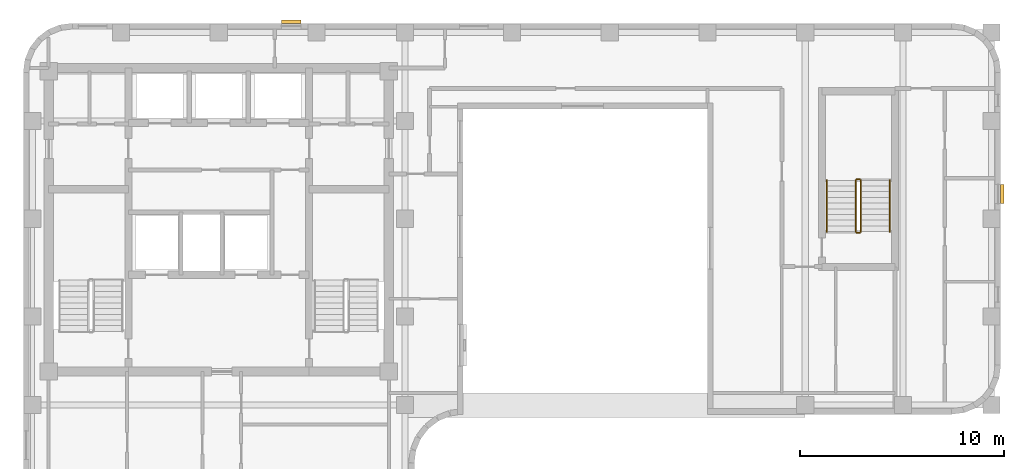
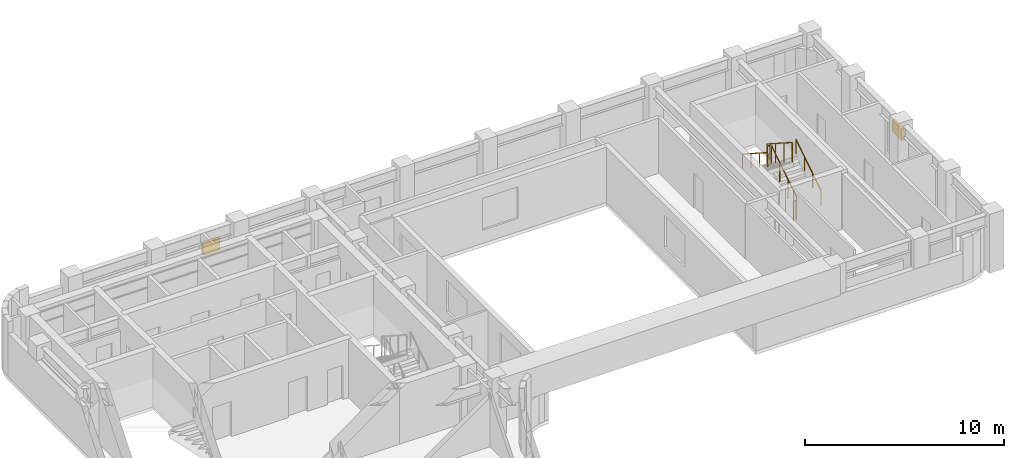
# One storey, part 8 of 8: 6 railings, 2 shading devices.
"""IFC4 building model written with IfcOpenShell, lengths in metres."""

import ifcopenshell
import ifcopenshell.guid

model = None  # the IFC model being written
_history = None  # IfcOwnerHistory: only IFC2X3 demands one
_inside = {}  # id of a spatial element -> (the spatial element, [elements in it])
_under = {}  # id of a project, library or spatial element -> (it, [spatial elements below it])
_declared = {}  # id of a project -> (the project, [libraries it declares])
_typed = {}  # id of a type object -> (the type object, [elements of that type])
_made_of = {}  # id of a material, layer set ... -> (it, [elements and type objects made of it])


def new_model(schema):
    """Start an empty IFC model of exactly this schema.

    Asked for "IFC4X3", IfcOpenShell would pick the latest addendum, in which some entities
    have other attributes; the version numbers below select the first issue.
    IFC2X3 requires an IfcOwnerHistory on every rooted entity: one is made here for all.
    """
    global model, _history
    if schema == "IFC4X3":
        model = ifcopenshell.file(schema_version=(4, 3, 0, 0))
    else:
        model = ifcopenshell.file(schema=schema)
    _inside.clear()
    _under.clear()
    _declared.clear()
    _typed.clear()
    _made_of.clear()
    _history = None
    if model.schema == "IFC2X3":
        org = make("IfcOrganization", Name="unknown")
        user = make(
            "IfcPersonAndOrganization",
            ThePerson=make("IfcPerson", FamilyName="unknown"),
            TheOrganization=org,
        )
        app = make(
            "IfcApplication",
            ApplicationDeveloper=org,
            Version="unknown",
            ApplicationFullName="unknown",
            ApplicationIdentifier="unknown",
        )
        _history = make(
            "IfcOwnerHistory",
            OwningUser=user,
            OwningApplication=app,
            ChangeAction="ADDED",
            CreationDate=0,
        )
    return model


def make(cls, **values):
    """One entity of the class cls with the attributes given. An attribute that is None is left unset."""
    return model.create_entity(
        cls, **{name: value for name, value in values.items() if value is not None}
    )


def rooted(cls, **values):
    """An entity with a GlobalId (a new one), such as an element, a storey or a relation."""
    return make(cls, GlobalId=ifcopenshell.guid.new(), OwnerHistory=_history, **values)


def si_unit(unit_type, name, prefix=None):
    """IfcSIUnit, for example si_unit("LENGTHUNIT", "METRE", prefix="MILLI")."""
    return make("IfcSIUnit", UnitType=unit_type, Prefix=prefix, Name=name)


def assignment(units):
    """IfcUnitAssignment: the units of a project."""
    return None if units is None else make("IfcUnitAssignment", Units=units)


def point(xyz):
    """IfcCartesianPoint."""
    return None if xyz is None else make("IfcCartesianPoint", Coordinates=xyz)


def direction(xyz):
    """IfcDirection."""
    return None if xyz is None else make("IfcDirection", DirectionRatios=xyz)


def frame(location, z_axis=None, x_axis=None):
    """IfcAxis2Placement3D, a coordinate frame: its origin and axes. An axis left out is left unset."""
    return make(
        "IfcAxis2Placement3D",
        Location=point(location),
        Axis=direction(z_axis),
        RefDirection=direction(x_axis),
    )


def frame_2d(location, x_axis=None):
    """IfcAxis2Placement2D, a coordinate frame in the plane: its origin and x axis."""
    return make(
        "IfcAxis2Placement2D", Location=point(location), RefDirection=direction(x_axis)
    )


def origin():
    """The frame at (0, 0, 0) with its axes left unset."""
    return frame((0.0, 0.0, 0.0))


def origin_2d():
    """The frame at (0, 0) in the plane with its x axis left unset."""
    return frame_2d((0.0, 0.0))


def place(relative_to, where):
    """IfcLocalPlacement: puts the frame where relative to a parent placement (None: the world)."""
    return make(
        "IfcLocalPlacement", PlacementRelTo=relative_to, RelativePlacement=where
    )


def context(
    kind, dimensions, precision=None, world=None, true_north=None, identifier=None
):
    """IfcGeometricRepresentationContext, for example the 3D "Model" context."""
    return make(
        "IfcGeometricRepresentationContext",
        ContextIdentifier=identifier,
        ContextType=kind,
        CoordinateSpaceDimension=dimensions,
        Precision=precision,
        WorldCoordinateSystem=world,
        TrueNorth=true_north,
    )


def subcontext(parent, identifier, kind, view, scale=None):
    """IfcGeometricRepresentationSubContext, for example "Body" below "Model"."""
    return make(
        "IfcGeometricRepresentationSubContext",
        ContextIdentifier=identifier,
        ContextType=kind,
        ParentContext=parent,
        TargetScale=scale,
        TargetView=view,
    )


def project(units=None, contexts=None):
    """IfcProject with its units and contexts."""
    return rooted(
        "IfcProject",
        Name="project",
        RepresentationContexts=contexts,
        UnitsInContext=assignment(units),
    )


def spatial(cls, under=None, at=None, **own):
    """A site, building, storey or space (cls), placed at a placement, below another one or the project."""
    s = rooted(cls, ObjectPlacement=at, **own)
    if under is not None:
        _under.setdefault(under.id(), (under, []))[1].append(s)
    return s


def profile(cls, at=None, kind="AREA", **sizes):
    """A parametric profile (cls). Its sizes go by their IFC names, for example OverallWidth=200.0."""
    return make(cls, ProfileType=kind, Position=at, **sizes)


def rectangle(**sizes):
    """IfcRectangleProfileDef."""
    return profile("IfcRectangleProfileDef", **sizes)


def extrude(swept, where, along, depth):
    """IfcExtrudedAreaSolid: the profile swept, set in the frame where, extruded along a direction by depth."""
    return make(
        "IfcExtrudedAreaSolid",
        SweptArea=swept,
        Position=where,
        ExtrudedDirection=direction(along),
        Depth=depth,
    )


def shape(context_of_items, identifier, shape_type, items):
    """IfcShapeRepresentation: the items that make up one representation, for example the "Body"."""
    return make(
        "IfcShapeRepresentation",
        ContextOfItems=context_of_items,
        RepresentationIdentifier=identifier,
        RepresentationType=shape_type,
        Items=items,
    )


def material(Name=None, Category=None):
    """IfcMaterial."""
    return make("IfcMaterial", Name=Name, Category=Category)


def made_of(thing, what):
    """Note that an element or type object is made of a material, layer set ...; save() writes the relation."""
    if what is not None:
        _made_of.setdefault(what.id(), (what, []))[1].append(thing)
    return thing


def type_object(cls, material=None, **own):
    """A type object (cls), such as IfcWallType, which elements share."""
    return made_of(rooted(cls, **own), material)


def element(
    cls,
    number,
    at=None,
    inside=None,
    cuts=None,
    type_object=None,
    material=None,
    context=None,
    identifier="Body",
    shape_type=None,
    held_by="IfcProductDefinitionShape",
    body=None,
    shapes=None,
    **own,
):
    """One element of the class cls, such as IfcWall. Its Tag is "e" and its number.

    at: its placement. inside: the storey or other place that contains it. cuts: it is an
    opening in that element (IfcRelVoidsElement). A single representation is given by context,
    identifier, shape_type and body (its items); several are given by shapes. held_by: the class
    of the entity that holds the representations. save() writes the other relations.
    """
    e = rooted(cls, Tag="e%d" % number, ObjectPlacement=at, **own)
    if body is not None:
        shapes = [shape(context, identifier, shape_type, body)]
    if shapes is not None:
        e.Representation = make(held_by, Representations=shapes)
    if inside is not None:
        _inside.setdefault(inside.id(), (inside, []))[1].append(e)
    if cuts is not None:
        rooted(
            "IfcRelVoidsElement", RelatingBuildingElement=cuts, RelatedOpeningElement=e
        )
    if type_object is not None:
        _typed.setdefault(type_object.id(), (type_object, []))[1].append(e)
    return made_of(e, material)


def aggregate(whole, parts):
    """IfcRelAggregates: a whole, such as a stair, and the parts it consists of."""
    return rooted("IfcRelAggregates", RelatingObject=whole, RelatedObjects=parts)


def save(model, path):
    """Write the relations noted so far, then the file.

    IfcRelAggregates (storeys below a building ...), IfcRelContainedInSpatialStructure (elements
    in a storey), IfcRelDefinesByType, IfcRelAssociatesMaterial and IfcRelDeclares: one each for
    every whole, place, type object, material and project.
    """
    for whole, parts in _under.values():
        aggregate(whole, parts)
    for where, things in _inside.values():
        rooted(
            "IfcRelContainedInSpatialStructure",
            RelatedElements=things,
            RelatingStructure=where,
        )
    for kind, things in _typed.values():
        rooted("IfcRelDefinesByType", RelatedObjects=things, RelatingType=kind)
    for what, things in _made_of.values():
        rooted("IfcRelAssociatesMaterial", RelatedObjects=things, RelatingMaterial=what)
    for by, libraries in _declared.values():
        rooted("IfcRelDeclares", RelatingContext=by, RelatedDefinitions=libraries)
    model.write(path)


model = new_model("IFC4")

# Units and contexts
model_context = context("Model", 3, precision=1e-05, world=origin(), true_north=direction((0.0, 1.0)))
body_context = subcontext(model_context, "Body", "Model", "MODEL_VIEW")
ifc_project = project(units=[si_unit("LENGTHUNIT", "METRE"), si_unit("AREAUNIT", "SQUARE_METRE"), si_unit("VOLUMEUNIT", "CUBIC_METRE"), si_unit("PLANEANGLEUNIT", "RADIAN"), si_unit("MASSUNIT", "GRAM", prefix="KILO")], contexts=[model_context])

# Site, building, storey
site_placement = place(None, origin())
site = spatial("IfcSite", under=ifc_project, at=site_placement, CompositionType="ELEMENT")
building_placement = place(site_placement, origin())
building = spatial("IfcBuilding", under=site, at=building_placement, Name="Orvandelia Arch Residences", CompositionType="ELEMENT")
storey_placement = place(building_placement, frame((0.0, 0.0, 203.800048828125)))
storey = spatial("IfcBuildingStorey", under=building, at=storey_placement, Name="L53", CompositionType="ELEMENT", Elevation=203.800048828125)

# Railings
ifc_material_1 = material(Name="Brushed Stainless Steel 304", Category="steel")
railing_type_1 = type_object("IfcRailingType", Name="RL-STAIR-GD1120", PredefinedType="GUARDRAIL", material=ifc_material_1)
railing_1_placement = place(storey_placement, frame((45.929931640625, 37.77001953125, 0.179931640625)))
element("IfcRailing", 1, at=railing_1_placement, inside=storey, type_object=railing_type_1, Name="L53 ST-3 stair guard 1", PredefinedType="GUARDRAIL", context=body_context, shape_type="SweptSolid", body=[
    extrude(rectangle(XDim=0.048095703125, YDim=0.048095703125, at=origin_2d()), frame((0.0, 0.0, 1.17578125), z_axis=(0.0, 0.841162588446, 0.540782303519), x_axis=(-1.0, 0.0, 0.0)), (0.0, 0.0, 1.0), 2.995849609375),
    extrude(rectangle(XDim=0.0419921875, YDim=0.0419921875, at=origin_2d()), origin(), (0.0, 0.0, 1.0), 1.15185546875),
    extrude(rectangle(XDim=0.0419921875, YDim=0.0419921875, at=origin_2d()), frame((0.0, 0.840087890625, 0.5400390625)), (0.0, 0.0, 1.0), 1.15185546875),
    extrude(rectangle(XDim=0.0419921875, YDim=0.0419921875, at=origin_2d()), frame((0.0, 1.679931640625, 1.080078125)), (0.0, 0.0, 1.0), 1.15185546875),
    extrude(rectangle(XDim=0.0419921875, YDim=0.0419921875, at=origin_2d()), frame((0.0, 2.52001953125, 1.6201171875)), (0.0, 0.0, 1.0), 1.15185546875),
])
railing_2_placement = place(storey_placement, frame((45.8798828125, 40.340087890625, 1.800048828125)))
element("IfcRailing", 2, at=railing_2_placement, inside=storey, type_object=railing_type_1, Name="L53 ST-3 stair guard 2", PredefinedType="GUARDRAIL", context=body_context, shape_type="SweptSolid", body=[
    extrude(rectangle(XDim=0.048095703125, YDim=0.048095703125, at=origin_2d()), frame((0.0, 0.0, 1.17578125), z_axis=(-1.0, 0.0, 0.0), x_axis=(0.0, -1.0, 0.0)), (0.0, 0.0, 1.0), 0.14990234375),
    extrude(rectangle(XDim=0.0419921875, YDim=0.0419921875, at=origin_2d()), origin(), (0.0, 0.0, 1.0), 1.15185546875),
    extrude(rectangle(XDim=0.0419921875, YDim=0.0419921875, at=origin_2d()), frame((-0.14990234375, 0.0, 0.0)), (0.0, 0.0, 1.0), 1.15185546875),
])
railing_3_placement = place(storey_placement, frame((45.679931640625, 40.2900390625, 1.97998046875)))
element("IfcRailing", 3, at=railing_3_placement, inside=storey, type_object=railing_type_1, Name="L53 ST-3 stair guard 3", PredefinedType="GUARDRAIL", context=body_context, shape_type="SweptSolid", body=[
    extrude(rectangle(XDim=0.048095703125, YDim=0.048095703125, at=origin_2d()), frame((0.0, 0.0, 1.17578125), z_axis=(0.0, -0.841199657755, 0.540724639528), x_axis=(1.0, 0.0, 0.0)), (0.0, 0.0, 1.0), 2.995849609375),
    extrude(rectangle(XDim=0.0419921875, YDim=0.0419921875, at=origin_2d()), origin(), (0.0, 0.0, 1.0), 1.15185546875),
    extrude(rectangle(XDim=0.0419921875, YDim=0.0419921875, at=origin_2d()), frame((0.0, -0.840087890625, 0.5400390625)), (0.0, 0.0, 1.0), 1.15185546875),
    extrude(rectangle(XDim=0.0419921875, YDim=0.0419921875, at=origin_2d()), frame((0.0, -1.679931640625, 1.079833984375)), (0.0, 0.0, 1.0), 1.15185546875),
    extrude(rectangle(XDim=0.0419921875, YDim=0.0419921875, at=origin_2d()), frame((0.0, -2.52001953125, 1.619873046875)), (0.0, 0.0, 1.0), 1.15185546875),
])
railing_4_placement = place(storey_placement, frame((45.8798828125, 37.719970703125, 0.0)))
element("IfcRailing", 4, at=railing_4_placement, inside=storey, type_object=railing_type_1, Name="L53 ST-3 stair guard 4", PredefinedType="GUARDRAIL", context=body_context, shape_type="SweptSolid", body=[
    extrude(rectangle(XDim=0.048095703125, YDim=0.048095703125, at=origin_2d()), frame((0.0, 0.0, 1.17578125), z_axis=(-1.0, 0.0, 0.0), x_axis=(0.0, -1.0, 0.0)), (0.0, 0.0, 1.0), 0.14990234375),
    extrude(rectangle(XDim=0.0419921875, YDim=0.0419921875, at=origin_2d()), origin(), (0.0, 0.0, 1.0), 1.15185546875),
    extrude(rectangle(XDim=0.0419921875, YDim=0.0419921875, at=origin_2d()), frame((-0.14990234375, 0.0, 0.0)), (0.0, 0.0, 1.0), 1.15185546875),
])
railing_type_2 = type_object("IfcRailingType", Name="RL-STAIR-HR920", PredefinedType="HANDRAIL", material=ifc_material_1)
railing_5_placement = place(storey_placement, frame((47.35009765625, 37.77001953125, 0.35986328125)))
element("IfcRailing", 5, at=railing_5_placement, inside=storey, type_object=railing_type_2, Name="L53 ST-3 stair handrail 1", PredefinedType="HANDRAIL", context=body_context, shape_type="SweptSolid", body=[
    extrude(rectangle(XDim=0.048095703125, YDim=0.048095703125, at=origin_2d()), frame((0.0, 0.0, 0.8759765625), z_axis=(0.0, 0.841162588446, 0.540782303519), x_axis=(-1.0, 0.0, 0.0)), (0.0, 0.0, 1.0), 2.995849609375),
    extrude(rectangle(XDim=0.0419921875, YDim=0.0419921875, at=origin_2d()), origin(), (0.0, 0.0, 1.0), 0.851806640625),
    extrude(rectangle(XDim=0.0419921875, YDim=0.0419921875, at=origin_2d()), frame((0.0, 0.840087890625, 0.5400390625)), (0.0, 0.0, 1.0), 0.851806640625),
    extrude(rectangle(XDim=0.0419921875, YDim=0.0419921875, at=origin_2d()), frame((0.0, 1.679931640625, 1.080078125)), (0.0, 0.0, 1.0), 0.851806640625),
    extrude(rectangle(XDim=0.0419921875, YDim=0.0419921875, at=origin_2d()), frame((0.0, 2.52001953125, 1.6201171875)), (0.0, 0.0, 1.0), 0.851806640625),
])
railing_6_placement = place(storey_placement, frame((44.260009765625, 40.2900390625, 2.159912109375)))
element("IfcRailing", 6, at=railing_6_placement, inside=storey, type_object=railing_type_2, Name="L53 ST-3 stair handrail 2", PredefinedType="HANDRAIL", context=body_context, shape_type="SweptSolid", body=[
    extrude(rectangle(XDim=0.048095703125, YDim=0.048095703125, at=origin_2d()), frame((0.0, 0.0, 0.8759765625), z_axis=(0.0, -0.841162588446, 0.540782303519), x_axis=(1.0, 0.0, 0.0)), (0.0, 0.0, 1.0), 2.995849609375),
    extrude(rectangle(XDim=0.0419921875, YDim=0.0419921875, at=origin_2d()), origin(), (0.0, 0.0, 1.0), 0.851806640625),
    extrude(rectangle(XDim=0.0419921875, YDim=0.0419921875, at=origin_2d()), frame((0.0, -0.840087890625, 0.5400390625)), (0.0, 0.0, 1.0), 0.851806640625),
    extrude(rectangle(XDim=0.0419921875, YDim=0.0419921875, at=origin_2d()), frame((0.0, -1.679931640625, 1.080078125)), (0.0, 0.0, 1.0), 0.851806640625),
    extrude(rectangle(XDim=0.0419921875, YDim=0.0419921875, at=origin_2d()), frame((0.0, -2.52001953125, 1.6201171875)), (0.0, 0.0, 1.0), 0.851806640625),
])

# Shading devices
ifc_material_2 = material(Name="Anodised Champagne-Bronze Extruded Aluminium", Category="aluminium")
shading_device_type = type_object("IfcShadingDeviceType", Name="SHD-JALOUSIE-SCREEN", PredefinedType="JALOUSIE", material=ifc_material_2)
for number, where, z_axis, x_axis, name in (
    (7, (17.952392578125, 48.080078125, 1.5498046875), (0.0, 0.0, 1.0), (1.0, 0.0, 0.0), "Bronze Jalousie Sun-Shade L53-001"),
    (8, (52.8798828125, 39.614013671875, 1.5498046875), (0.0, 0.0, 1.0), (0.0, -1.0, 0.0), "Bronze Jalousie Sun-Shade L53-002"),
):
    element("IfcShadingDevice", number, at=place(storey_placement, frame(where, z_axis=z_axis, x_axis=x_axis)), inside=storey, type_object=shading_device_type, Name=name, PredefinedType="JALOUSIE", context=body_context, shape_type="SweptSolid", body=[
        extrude(rectangle(XDim=0.949951171875, YDim=0.159912109375, at=origin_2d()), origin(), (0.0, 0.0, 1.0), 0.699951171875),
    ])

save(model, "model.ifc")
